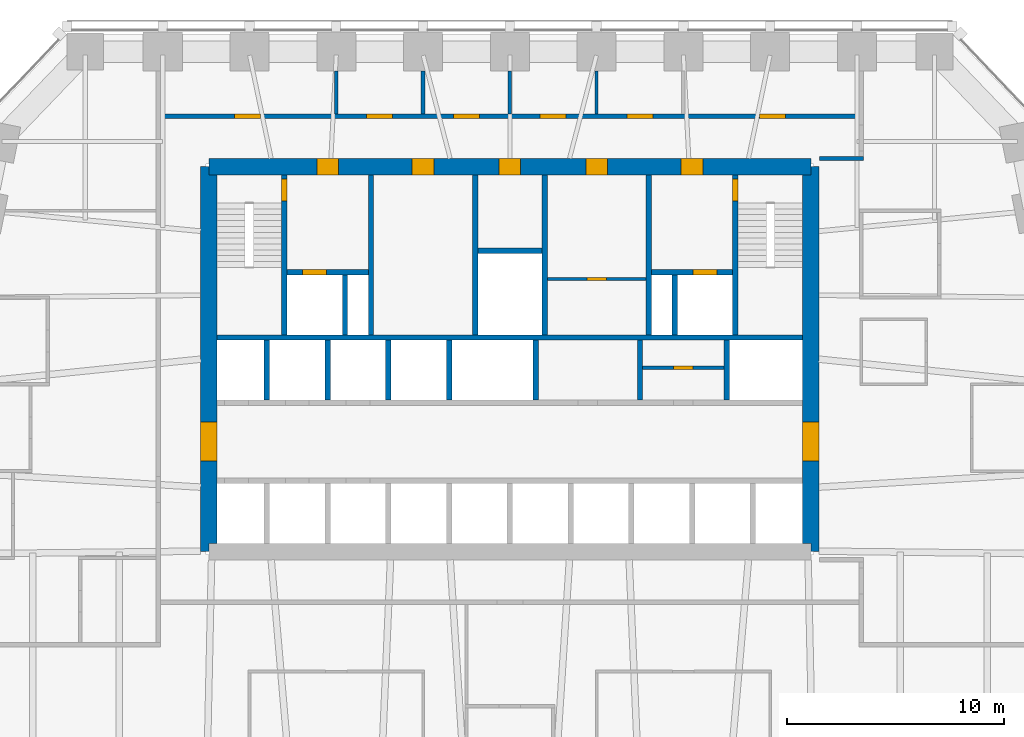
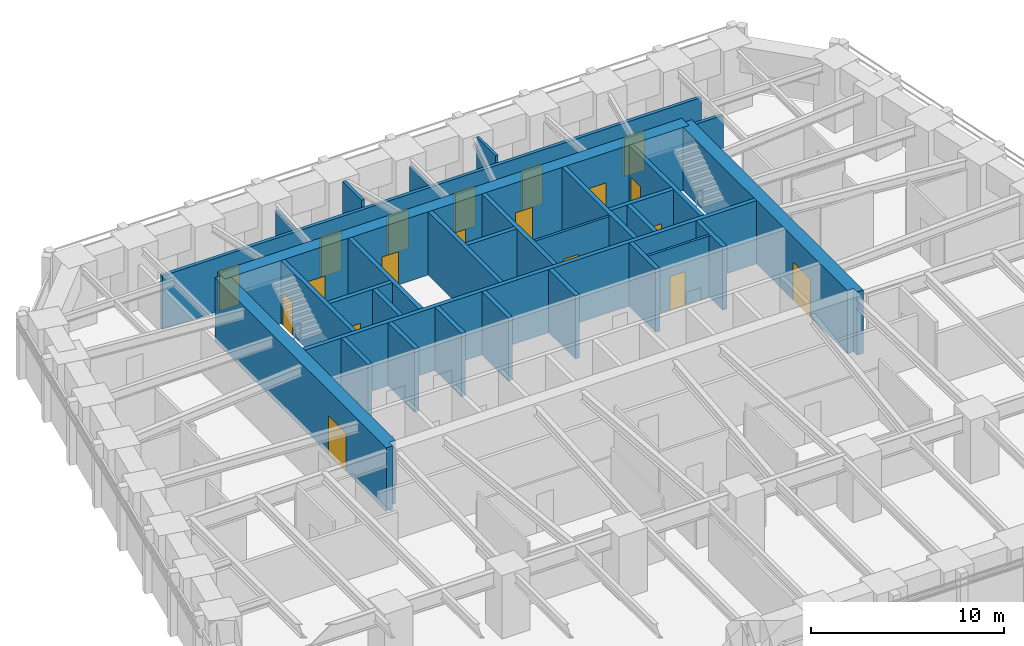
# One storey, part 7 of 10: 30 walls, 19 doors, 19 openings.
"""IFC4 building model written with IfcOpenShell, lengths in metres."""

from ifc_helpers import new_model, si_unit, direction, frame, frame_2d, origin, place, context, subcontext, project, spatial, polyline, rectangle, outline, extrude, material, layer, layer_set, type_object, element, fill, save


model = new_model("IFC4")

# Units and contexts
model_context = context("Model", 3, precision=1e-05, world=origin(), true_north=direction((0.0, 1.0)))
body_context = subcontext(model_context, "Body", "Model", "MODEL_VIEW")
ifc_project = project(units=[si_unit("LENGTHUNIT", "METRE"), si_unit("AREAUNIT", "SQUARE_METRE"), si_unit("VOLUMEUNIT", "CUBIC_METRE"), si_unit("PLANEANGLEUNIT", "RADIAN"), si_unit("MASSUNIT", "GRAM", prefix="KILO")], contexts=[model_context])

# Site, building, storey
site_placement = place(None, origin())
site = spatial("IfcSite", under=ifc_project, at=site_placement, CompositionType="ELEMENT")
building_placement = place(site_placement, origin())
building = spatial("IfcBuilding", under=site, at=building_placement, Name="Isbrekke Arena Tower", CompositionType="ELEMENT")
storey_placement = place(building_placement, frame((0.0, 0.0, 115.0)))
storey = spatial("IfcBuildingStorey", under=building, at=storey_placement, Name="L25", CompositionType="ELEMENT", Elevation=115.0)

# Wall, opening, door
ifc_material_1 = material(Name="Concrete B55 (C55/67)", Category="concrete")
ifc_layer_1 = layer(ifc_material_1, 0.75)
ifc_layer_set_1 = layer_set([ifc_layer_1], Name="CW3 CORE WALL 750")
wall_type_1 = type_object("IfcWallType", Name="CW3 CORE WALL 750", PredefinedType="SHEAR", material=ifc_layer_set_1)
wall_1_placement = place(storey_placement, frame((13.875, 6.125, 0.0), z_axis=(0.0, 0.0, 1.0), x_axis=(0.0, 1.0, 0.0)))
wall_1 = element("IfcWall", 1, at=wall_1_placement, inside=storey, type_object=wall_type_1, Name="Core wall E L25", PredefinedType="SHEAR", context=body_context, shape_type="SweptSolid", body=[
    extrude(outline(polyline([(0.0, -0.375), (17.75, -0.375), (17.75, 0.0), (17.375, 0.0), (17.375, 0.375), (0.375, 0.375), (0.375, 0.0), (0.0, 0.0), (0.0, -0.375)])), origin(), (0.0, 0.0, 1.0), 4.0),
])
opening_1_placement = place(wall_1_placement, frame((4.175048828125, 0.0, 0.0)))
opening_1 = element("IfcOpeningElement", 2, at=opening_1_placement, cuts=wall_1, Name="Opening D1", PredefinedType="OPENING", context=body_context, shape_type="SweptSolid", body=[
    extrude(rectangle(XDim=1.800048828125, YDim=2.39990234375, at=frame_2d((0.89990234375, 1.199951171875))), frame((0.0, 0.389892578125, 0.0), z_axis=(0.0, -1.0, 0.0), x_axis=(1.0, 0.0, 0.0)), (0.0, 0.0, 1.0), 0.77978515625),
])
ifc_material_2 = material(Name="Steel-framed glazed fire door", Category="steel")
door_type_1 = type_object("IfcDoorType", Name="D1 CORE LOBBY DOOR 1800 x 2400", OperationType="DOUBLE_DOOR_SINGLE_SWING", PredefinedType="DOOR", material=ifc_material_2)
door_1_placement = place(opening_1_placement, origin())
door_1 = element("IfcDoor", 3, at=door_1_placement, inside=storey, type_object=door_type_1, Name="D1 lift lobby door east L25", OperationType="DOUBLE_DOOR_SINGLE_SWING", OverallHeight=2.39990234375, OverallWidth=1.800048828125, PredefinedType="DOOR", context=body_context, shape_type="SweptSolid", body=[
    extrude(rectangle(XDim=1.800048828125, YDim=2.39990234375, at=frame_2d((0.89990234375, 1.199951171875))), frame((0.0, 0.374755859375, 0.0), z_axis=(0.0, -1.0, 0.0), x_axis=(1.0, 0.0, 0.0)), (0.0, 0.0, 1.0), 0.74951171875),
])
fill(opening_1, door_1)

# Wall, openings, doors
wall_2_placement = place(storey_placement, frame((13.875, 23.875, 0.0), z_axis=(0.0, 0.0, 1.0), x_axis=(-1.0, 0.0, 0.0)))
wall_2 = element("IfcWall", 4, at=wall_2_placement, inside=storey, type_object=wall_type_1, Name="Core wall N L25", PredefinedType="SHEAR", context=body_context, shape_type="SweptSolid", body=[
    extrude(rectangle(XDim=27.75, YDim=0.75, at=frame_2d((13.875, 0.0))), origin(), (0.0, 0.0, 1.0), 4.0),
])
opening_2_placement = place(wall_2_placement, frame((21.77490234375, 0.0, 0.0)))
opening_2 = element("IfcOpeningElement", 5, at=opening_2_placement, cuts=wall_2, Name="Opening D3", PredefinedType="OPENING", context=body_context, shape_type="SweptSolid", body=[
    extrude(rectangle(XDim=1.0, YDim=2.10009765625, at=frame_2d((0.5, 1.050048828125))), frame((0.0, 0.389892578125, 0.0), z_axis=(0.0, -1.0, 0.0), x_axis=(1.0, 0.0, 0.0)), (0.0, 0.0, 1.0), 0.77978515625),
])
opening_3_placement = place(wall_2_placement, frame((4.97509765625, 0.0, 0.0)))
opening_3 = element("IfcOpeningElement", 6, at=opening_3_placement, cuts=wall_2, Name="Opening D3", PredefinedType="OPENING", context=body_context, shape_type="SweptSolid", body=[
    extrude(rectangle(XDim=1.0, YDim=2.10009765625, at=frame_2d((0.5, 1.050048828125))), frame((0.0, 0.389892578125, 0.0), z_axis=(0.0, -1.0, 0.0), x_axis=(1.0, 0.0, 0.0)), (0.0, 0.0, 1.0), 0.77978515625),
])
opening_4_placement = place(wall_2_placement, frame((17.375, 0.0, 0.0)))
opening_4 = element("IfcOpeningElement", 7, at=opening_4_placement, cuts=wall_2, Name="Opening D4", PredefinedType="OPENING", context=body_context, shape_type="SweptSolid", body=[
    extrude(rectangle(XDim=1.0, YDim=2.10009765625, at=frame_2d((0.5, 1.050048828125))), frame((0.0, 0.389892578125, 0.0), z_axis=(0.0, -1.0, 0.0), x_axis=(1.0, 0.0, 0.0)), (0.0, 0.0, 1.0), 0.77978515625),
])
opening_5_placement = place(wall_2_placement, frame((13.375, 0.0, 0.0)))
opening_5 = element("IfcOpeningElement", 8, at=opening_5_placement, cuts=wall_2, Name="Opening D4", PredefinedType="OPENING", context=body_context, shape_type="SweptSolid", body=[
    extrude(rectangle(XDim=1.0, YDim=2.10009765625, at=frame_2d((0.5, 1.050048828125))), frame((0.0, 0.389892578125, 0.0), z_axis=(0.0, -1.0, 0.0), x_axis=(1.0, 0.0, 0.0)), (0.0, 0.0, 1.0), 0.77978515625),
])
opening_6_placement = place(wall_2_placement, frame((9.375, 0.0, 0.0)))
opening_6 = element("IfcOpeningElement", 9, at=opening_6_placement, cuts=wall_2, Name="Opening D4", PredefinedType="OPENING", context=body_context, shape_type="SweptSolid", body=[
    extrude(rectangle(XDim=1.0, YDim=2.10009765625, at=frame_2d((0.5, 1.050048828125))), frame((0.0, 0.389892578125, 0.0), z_axis=(0.0, -1.0, 0.0), x_axis=(1.0, 0.0, 0.0)), (0.0, 0.0, 1.0), 0.77978515625),
])
ifc_material_3 = material(Name="Steel fire door", Category="steel")
door_type_2 = type_object("IfcDoorType", Name="D3 FIRE LOBBY DOOR 1000 x 2100", OperationType="SINGLE_SWING_RIGHT", PredefinedType="DOOR", material=ifc_material_3)
door_2_placement = place(opening_2_placement, origin())
door_2 = element("IfcDoor", 10, at=door_2_placement, inside=storey, type_object=door_type_2, Name="D3 fire-fighting lobby door L25", OperationType="SINGLE_SWING_RIGHT", OverallHeight=2.10009765625, OverallWidth=1.0, PredefinedType="DOOR", context=body_context, shape_type="SweptSolid", body=[
    extrude(rectangle(XDim=1.0, YDim=2.10009765625, at=frame_2d((0.5, 1.050048828125))), frame((0.0, 0.374755859375, 0.0), z_axis=(0.0, -1.0, 0.0), x_axis=(1.0, 0.0, 0.0)), (0.0, 0.0, 1.0), 0.74951171875),
])
fill(opening_2, door_2)
door_3_placement = place(opening_3_placement, origin())
door_3 = element("IfcDoor", 11, at=door_3_placement, inside=storey, type_object=door_type_2, Name="D3 fire-fighting lobby door L25", OperationType="SINGLE_SWING_RIGHT", OverallHeight=2.10009765625, OverallWidth=1.0, PredefinedType="DOOR", context=body_context, shape_type="SweptSolid", body=[
    extrude(rectangle(XDim=1.0, YDim=2.10009765625, at=frame_2d((0.5, 1.050048828125))), frame((0.0, 0.374755859375, 0.0), z_axis=(0.0, -1.0, 0.0), x_axis=(1.0, 0.0, 0.0)), (0.0, 0.0, 1.0), 0.74951171875),
])
fill(opening_3, door_3)
ifc_material_4 = material(Name="Timber door", Category="wood")
door_type_3 = type_object("IfcDoorType", Name="D4 WC DOOR 1000 x 2100", OperationType="SINGLE_SWING_LEFT", PredefinedType="DOOR", material=ifc_material_4)
door_4_placement = place(opening_4_placement, origin())
door_4 = element("IfcDoor", 12, at=door_4_placement, inside=storey, type_object=door_type_3, Name="D4 wc female door L25", OperationType="SINGLE_SWING_LEFT", OverallHeight=2.10009765625, OverallWidth=1.0, PredefinedType="DOOR", context=body_context, shape_type="SweptSolid", body=[
    extrude(rectangle(XDim=1.0, YDim=2.10009765625, at=frame_2d((0.5, 1.050048828125))), frame((0.0, 0.374755859375, 0.0), z_axis=(0.0, -1.0, 0.0), x_axis=(1.0, 0.0, 0.0)), (0.0, 0.0, 1.0), 0.74951171875),
])
fill(opening_4, door_4)
door_5_placement = place(opening_5_placement, origin())
door_5 = element("IfcDoor", 13, at=door_5_placement, inside=storey, type_object=door_type_3, Name="D4 accessible wc door L25", OperationType="SINGLE_SWING_LEFT", OverallHeight=2.10009765625, OverallWidth=1.0, PredefinedType="DOOR", context=body_context, shape_type="SweptSolid", body=[
    extrude(rectangle(XDim=1.0, YDim=2.10009765625, at=frame_2d((0.5, 1.050048828125))), frame((0.0, 0.374755859375, 0.0), z_axis=(0.0, -1.0, 0.0), x_axis=(1.0, 0.0, 0.0)), (0.0, 0.0, 1.0), 0.74951171875),
])
fill(opening_5, door_5)
door_6_placement = place(opening_6_placement, origin())
door_6 = element("IfcDoor", 14, at=door_6_placement, inside=storey, type_object=door_type_3, Name="D4 wc male door L25", OperationType="SINGLE_SWING_LEFT", OverallHeight=2.10009765625, OverallWidth=1.0, PredefinedType="DOOR", context=body_context, shape_type="SweptSolid", body=[
    extrude(rectangle(XDim=1.0, YDim=2.10009765625, at=frame_2d((0.5, 1.050048828125))), frame((0.0, 0.374755859375, 0.0), z_axis=(0.0, -1.0, 0.0), x_axis=(1.0, 0.0, 0.0)), (0.0, 0.0, 1.0), 0.74951171875),
])
fill(opening_6, door_6)

# Wall, opening, door
wall_3_placement = place(storey_placement, frame((-13.875, 23.875, 0.0), z_axis=(0.0, 0.0, 1.0), x_axis=(0.0, -1.0, 0.0)))
wall_3 = element("IfcWall", 15, at=wall_3_placement, inside=storey, type_object=wall_type_1, Name="Core wall W L25", PredefinedType="SHEAR", context=body_context, shape_type="SweptSolid", body=[
    extrude(outline(polyline([(0.0, -0.375), (17.75, -0.375), (17.75, 0.0), (17.375, 0.0), (17.375, 0.375), (0.375, 0.375), (0.375, 0.0), (0.0, 0.0), (0.0, -0.375)])), origin(), (0.0, 0.0, 1.0), 4.0),
])
opening_7_placement = place(wall_3_placement, frame((11.77490234375, 0.0, 0.0)))
opening_7 = element("IfcOpeningElement", 16, at=opening_7_placement, cuts=wall_3, Name="Opening D1", PredefinedType="OPENING", context=body_context, shape_type="SweptSolid", body=[
    extrude(rectangle(XDim=1.800048828125, YDim=2.39990234375, at=frame_2d((0.89990234375, 1.199951171875))), frame((0.0, 0.389892578125, 0.0), z_axis=(0.0, -1.0, 0.0), x_axis=(1.0, 0.0, 0.0)), (0.0, 0.0, 1.0), 0.77978515625),
])
door_7_placement = place(opening_7_placement, origin())
door_7 = element("IfcDoor", 17, at=door_7_placement, inside=storey, type_object=door_type_1, Name="D1 lift lobby door west L25", OperationType="DOUBLE_DOOR_SINGLE_SWING", OverallHeight=2.39990234375, OverallWidth=1.800048828125, PredefinedType="DOOR", context=body_context, shape_type="SweptSolid", body=[
    extrude(rectangle(XDim=1.800048828125, YDim=2.39990234375, at=frame_2d((0.89990234375, 1.199951171875))), frame((0.0, 0.374755859375, 0.0), z_axis=(0.0, -1.0, 0.0), x_axis=(1.0, 0.0, 0.0)), (0.0, 0.0, 1.0), 0.74951171875),
])
fill(opening_7, door_7)

# Walls
ifc_material_5 = material(Name="Concrete B45 (C45/55)", Category="concrete")
ifc_layer_2 = layer(ifc_material_5, 0.25)
ifc_layer_set_2 = layer_set([ifc_layer_2], Name="CW6 SHAFT WALL 250")
wall_type_2 = type_object("IfcWallType", Name="CW6 SHAFT WALL 250", PredefinedType="SHEAR", material=ifc_layer_set_2)
wall_4_placement = place(storey_placement, frame((-13.5, 16.0, 0.0), z_axis=(0.0, 0.0, 1.0), x_axis=(1.0, 0.0, 0.0)))
element("IfcWall", 18, at=wall_4_placement, inside=storey, type_object=wall_type_2, Name="Core wall NB L25", PredefinedType="SHEAR", context=body_context, shape_type="SweptSolid", body=[
    extrude(rectangle(XDim=27.0, YDim=0.25, at=frame_2d((13.5, 0.0))), origin(), (0.0, 0.0, 1.0), 4.0),
])
for number, where, z_axis, x_axis, name in (
    (19, (-11.199951171875, 13.125, 0.0), (0.0, 0.0, 1.0), (0.0, 1.0, 0.0), "Core wall SN01 L25"),
    (20, (-8.39990234375, 13.125, 0.0), (0.0, 0.0, 1.0), (0.0, 1.0, 0.0), "Core wall SN02 L25"),
    (21, (-5.60009765625, 13.125, 0.0), (0.0, 0.0, 1.0), (0.0, 1.0, 0.0), "Core wall SN03 L25"),
    (22, (-2.800048828125, 13.125, 0.0), (0.0, 0.0, 1.0), (0.0, 1.0, 0.0), "Core wall SN04 L25"),
    (23, (1.199951171875, 13.125, 0.0), (0.0, 0.0, 1.0), (0.0, 1.0, 0.0), "Core wall SN05 L25"),
    (24, (6.0, 13.125, 0.0), (0.0, 0.0, 1.0), (0.0, 1.0, 0.0), "Core wall SN06 L25"),
    (25, (10.0, 13.125, 0.0), (0.0, 0.0, 1.0), (0.0, 1.0, 0.0), "Core wall SN07 L25"),
):
    element("IfcWall", number, at=place(storey_placement, frame(where, z_axis=z_axis, x_axis=x_axis)), inside=storey, type_object=wall_type_2, Name=name, PredefinedType="SHEAR", context=body_context, shape_type="SweptSolid", body=[
        extrude(rectangle(XDim=2.75, YDim=0.25, at=frame_2d((1.375, 0.0))), origin(), (0.0, 0.0, 1.0), 4.0),
    ])

# Wall, opening, door
wall_5_placement = place(storey_placement, frame((-10.39990234375, 16.125, 0.0), z_axis=(0.0, 0.0, 1.0), x_axis=(0.0, 1.0, 0.0)))
wall_5 = element("IfcWall", 26, at=wall_5_placement, inside=storey, type_object=wall_type_2, Name="Core wall NV01 L25", PredefinedType="SHEAR", context=body_context, shape_type="SweptSolid", body=[
    extrude(rectangle(XDim=7.375, YDim=0.25, at=frame_2d((3.6875, 0.0))), origin(), (0.0, 0.0, 1.0), 4.0),
])
opening_8_placement = place(wall_5_placement, frame((6.175048828125, 0.0, 0.0)))
opening_8 = element("IfcOpeningElement", 27, at=opening_8_placement, cuts=wall_5, Name="Opening D2", PredefinedType="OPENING", context=body_context, shape_type="SweptSolid", body=[
    extrude(rectangle(XDim=1.0, YDim=2.10009765625, at=frame_2d((0.5, 1.050048828125))), frame((0.0, 0.139892578125, 0.0), z_axis=(0.0, -1.0, 0.0), x_axis=(1.0, 0.0, 0.0)), (0.0, 0.0, 1.0), 0.27978515625),
])
ifc_material_6 = material(Name="Steel fire door", Category="steel")
door_type_4 = type_object("IfcDoorType", Name="D2 STAIR DOOR 1000 x 2100", OperationType="SINGLE_SWING_LEFT", PredefinedType="DOOR", material=ifc_material_6)
door_8_placement = place(opening_8_placement, origin())
door_8 = element("IfcDoor", 28, at=door_8_placement, inside=storey, type_object=door_type_4, Name="D2 stair door ST1 L25", OperationType="SINGLE_SWING_LEFT", OverallHeight=2.10009765625, OverallWidth=1.0, PredefinedType="DOOR", context=body_context, shape_type="SweptSolid", body=[
    extrude(rectangle(XDim=1.0, YDim=2.10009765625, at=frame_2d((0.5, 1.050048828125))), frame((0.0, 0.124755859375, 0.0), z_axis=(0.0, -1.0, 0.0), x_axis=(1.0, 0.0, 0.0)), (0.0, 0.0, 1.0), 0.24951171875),
])
fill(opening_8, door_8)

# Walls
for number, where, z_axis, x_axis, name in (
    (29, (-6.39990234375, 16.125, 0.0), (0.0, 0.0, 1.0), (0.0, 1.0, 0.0), "Core wall NV02 L25"),
    (30, (-1.60009765625, 16.125, 0.0), (0.0, 0.0, 1.0), (0.0, 1.0, 0.0), "Core wall NV03 L25"),
    (31, (1.60009765625, 16.125, 0.0), (0.0, 0.0, 1.0), (0.0, 1.0, 0.0), "Core wall NV04 L25"),
    (32, (6.39990234375, 16.125, 0.0), (0.0, 0.0, 1.0), (0.0, 1.0, 0.0), "Core wall NV05 L25"),
):
    element("IfcWall", number, at=place(storey_placement, frame(where, z_axis=z_axis, x_axis=x_axis)), inside=storey, type_object=wall_type_2, Name=name, PredefinedType="SHEAR", context=body_context, shape_type="SweptSolid", body=[
        extrude(rectangle(XDim=7.375, YDim=0.25, at=frame_2d((3.6875, 0.0))), origin(), (0.0, 0.0, 1.0), 4.0),
    ])

# Wall, opening, door
wall_6_placement = place(storey_placement, frame((10.39990234375, 16.125, 0.0), z_axis=(0.0, 0.0, 1.0), x_axis=(0.0, 1.0, 0.0)))
wall_6 = element("IfcWall", 33, at=wall_6_placement, inside=storey, type_object=wall_type_2, Name="Core wall NV06 L25", PredefinedType="SHEAR", context=body_context, shape_type="SweptSolid", body=[
    extrude(rectangle(XDim=7.375, YDim=0.25, at=frame_2d((3.6875, 0.0))), origin(), (0.0, 0.0, 1.0), 4.0),
])
opening_9_placement = place(wall_6_placement, frame((6.175048828125, 0.0, 0.0)))
opening_9 = element("IfcOpeningElement", 34, at=opening_9_placement, cuts=wall_6, Name="Opening D2", PredefinedType="OPENING", context=body_context, shape_type="SweptSolid", body=[
    extrude(rectangle(XDim=1.0, YDim=2.10009765625, at=frame_2d((0.5, 1.050048828125))), frame((0.0, 0.139892578125, 0.0), z_axis=(0.0, -1.0, 0.0), x_axis=(1.0, 0.0, 0.0)), (0.0, 0.0, 1.0), 0.27978515625),
])
door_9_placement = place(opening_9_placement, origin())
door_9 = element("IfcDoor", 35, at=door_9_placement, inside=storey, type_object=door_type_4, Name="D2 stair door ST2 L25", OperationType="SINGLE_SWING_LEFT", OverallHeight=2.10009765625, OverallWidth=1.0, PredefinedType="DOOR", context=body_context, shape_type="SweptSolid", body=[
    extrude(rectangle(XDim=1.0, YDim=2.10009765625, at=frame_2d((0.5, 1.050048828125))), frame((0.0, 0.124755859375, 0.0), z_axis=(0.0, -1.0, 0.0), x_axis=(1.0, 0.0, 0.0)), (0.0, 0.0, 1.0), 0.24951171875),
])
fill(opening_9, door_9)

wall_7_placement = place(storey_placement, frame((-10.27490234375, 19.0, 0.0), z_axis=(0.0, 0.0, 1.0), x_axis=(1.0, 0.0, 0.0)))
wall_7 = element("IfcWall", 36, at=wall_7_placement, inside=storey, type_object=wall_type_2, Name="Core wall NFW L25", PredefinedType="SHEAR", context=body_context, shape_type="SweptSolid", body=[
    extrude(rectangle(XDim=3.75, YDim=0.25, at=frame_2d((1.875, 0.0))), origin(), (0.0, 0.0, 1.0), 4.0),
])
opening_10_placement = place(wall_7_placement, frame((0.72509765625, 0.0, 0.0)))
opening_10 = element("IfcOpeningElement", 37, at=opening_10_placement, cuts=wall_7, Name="Opening LD2", PredefinedType="OPENING", context=body_context, shape_type="SweptSolid", body=[
    extrude(rectangle(XDim=1.10009765625, YDim=2.10009765625, at=frame_2d((0.550048828125, 1.050048828125))), frame((0.0, 0.139892578125, 0.0), z_axis=(0.0, -1.0, 0.0), x_axis=(1.0, 0.0, 0.0)), (0.0, 0.0, 1.0), 0.27978515625),
])
ifc_material_7 = material(Name="Stainless steel lift landing door", Category="steel")
door_type_5 = type_object("IfcDoorType", Name="LD2 FIRE-FIGHTING LIFT LANDING DOOR 1100 x 2100", OperationType="SLIDING_TO_RIGHT", PredefinedType="DOOR", material=ifc_material_7)
door_10_placement = place(opening_10_placement, origin())
door_10 = element("IfcDoor", 38, at=door_10_placement, inside=storey, type_object=door_type_5, Name="LD2 lift landing door LF L25", OperationType="SLIDING_TO_RIGHT", OverallHeight=2.10009765625, OverallWidth=1.10009765625, PredefinedType="DOOR", context=body_context, shape_type="SweptSolid", body=[
    extrude(rectangle(XDim=1.10009765625, YDim=2.10009765625, at=frame_2d((0.550048828125, 1.050048828125))), frame((0.0, 0.124755859375, 0.0), z_axis=(0.0, -1.0, 0.0), x_axis=(1.0, 0.0, 0.0)), (0.0, 0.0, 1.0), 0.24951171875),
])
fill(opening_10, door_10)

wall_8_placement = place(storey_placement, frame((6.52490234375, 19.0, 0.0), z_axis=(0.0, 0.0, 1.0), x_axis=(1.0, 0.0, 0.0)))
wall_8 = element("IfcWall", 39, at=wall_8_placement, inside=storey, type_object=wall_type_2, Name="Core wall NFE L25", PredefinedType="SHEAR", context=body_context, shape_type="SweptSolid", body=[
    extrude(rectangle(XDim=3.75, YDim=0.25, at=frame_2d((1.875, 0.0))), origin(), (0.0, 0.0, 1.0), 4.0),
])
opening_11_placement = place(wall_8_placement, frame((1.925048828125, 0.0, 0.0)))
opening_11 = element("IfcOpeningElement", 40, at=opening_11_placement, cuts=wall_8, Name="Opening LD2", PredefinedType="OPENING", context=body_context, shape_type="SweptSolid", body=[
    extrude(rectangle(XDim=1.10009765625, YDim=2.10009765625, at=frame_2d((0.550048828125, 1.050048828125))), frame((0.0, 0.139892578125, 0.0), z_axis=(0.0, -1.0, 0.0), x_axis=(1.0, 0.0, 0.0)), (0.0, 0.0, 1.0), 0.27978515625),
])
door_11_placement = place(opening_11_placement, origin())
door_11 = element("IfcDoor", 41, at=door_11_placement, inside=storey, type_object=door_type_5, Name="LD2 lift landing door LF L25", OperationType="SLIDING_TO_RIGHT", OverallHeight=2.10009765625, OverallWidth=1.10009765625, PredefinedType="DOOR", context=body_context, shape_type="SweptSolid", body=[
    extrude(rectangle(XDim=1.10009765625, YDim=2.10009765625, at=frame_2d((0.550048828125, 1.050048828125))), frame((0.0, 0.124755859375, 0.0), z_axis=(0.0, -1.0, 0.0), x_axis=(1.0, 0.0, 0.0)), (0.0, 0.0, 1.0), 0.24951171875),
])
fill(opening_11, door_11)

# Walls
for number, where, z_axis, x_axis, name in (
    (42, (-7.60009765625, 16.125, 0.0), (0.0, 0.0, 1.0), (0.0, 1.0, 0.0), "Core wall NFS1 L25"),
    (43, (7.60009765625, 16.125, 0.0), (0.0, 0.0, 1.0), (0.0, 1.0, 0.0), "Core wall NFS2 L25"),
):
    element("IfcWall", number, at=place(storey_placement, frame(where, z_axis=z_axis, x_axis=x_axis)), inside=storey, type_object=wall_type_2, Name=name, PredefinedType="SHEAR", context=body_context, shape_type="SweptSolid", body=[
        extrude(rectangle(XDim=2.75, YDim=0.25, at=frame_2d((1.375, 0.0))), origin(), (0.0, 0.0, 1.0), 4.0),
    ])
wall_9_placement = place(storey_placement, frame((-1.47509765625, 20.0, 0.0), z_axis=(0.0, 0.0, 1.0), x_axis=(1.0, 0.0, 0.0)))
element("IfcWall", 44, at=wall_9_placement, inside=storey, type_object=wall_type_2, Name="Core wall NWC L25", PredefinedType="SHEAR", context=body_context, shape_type="SweptSolid", body=[
    extrude(rectangle(XDim=2.9501953125, YDim=0.25, at=frame_2d((1.47509765625, 0.0))), origin(), (0.0, 0.0, 1.0), 4.0),
])
ifc_material_8 = material(Name="Gypsum board partition on steel studs", Category="steel")
ifc_layer_3 = layer(ifc_material_8, 0.14990234375)
ifc_layer_set_3 = layer_set([ifc_layer_3], Name="IW1 PARTITION 150")
wall_type_3 = type_object("IfcWallType", Name="IW1 PARTITION 150", PredefinedType="PARTITIONING", material=ifc_layer_set_3)
wall_10_placement = place(storey_placement, frame((0.0, 26.300048828125, 0.0), z_axis=(0.0, 0.0, 1.0), x_axis=(0.0, 1.0, 0.0)))
element("IfcWall", 45, at=wall_10_placement, inside=storey, type_object=wall_type_3, Name="IW1 partition 150 L25", PredefinedType="PARTITIONING", context=body_context, shape_type="SweptSolid", body=[
    extrude(rectangle(XDim=1.974853515625, YDim=0.14990234375, at=frame_2d((0.9873046875, 0.0))), origin(), (0.0, 0.0, 1.0), 3.39990234375),
])
wall_11_placement = place(storey_placement, frame((4.0, 26.300048828125, 0.0), z_axis=(0.0, 0.0, 1.0), x_axis=(0.0, 1.0, 0.0)))
element("IfcWall", 46, at=wall_11_placement, inside=storey, type_object=wall_type_3, Name="IW1 partition 150 L25", PredefinedType="PARTITIONING", context=body_context, shape_type="SweptSolid", body=[
    extrude(rectangle(XDim=1.974853515625, YDim=0.14990234375, at=frame_2d((0.9873046875, 0.0))), origin(), (0.0, 0.0, 1.0), 3.85009765625),
])
ifc_material_9 = material(Name="Gypsum board fire-cell wall on steel studs, two layers each side", Category="steel")
ifc_layer_4 = layer(ifc_material_9, 0.199951171875)
ifc_layer_set_4 = layer_set([ifc_layer_4], Name="IW3 FIRE-CELL WALL 200")
wall_type_4 = type_object("IfcWallType", Name="IW3 FIRE-CELL WALL 200", PredefinedType="PARTITIONING", material=ifc_layer_set_4)
wall_12_placement = place(storey_placement, frame((14.280029296875, 24.25, 0.0), z_axis=(0.0, 0.0, 1.0), x_axis=(1.0, 0.0, 0.0)))
element("IfcWall", 47, at=wall_12_placement, inside=storey, type_object=wall_type_4, Name="IW3 fire-cell wall 200 L25", PredefinedType="PARTITIONING", context=body_context, shape_type="SweptSolid", body=[
    extrude(rectangle(XDim=2.02001953125, YDim=0.199951171875, at=frame_2d((1.010009765625, 0.0))), origin(), (0.0, 0.0, 1.0), 3.39990234375),
])

# Wall, openings, doors
wall_13_placement = place(storey_placement, frame((-16.10009765625, 26.199951171875, 0.0), z_axis=(0.0, 0.0, 1.0), x_axis=(1.0, 0.0, 0.0)))
wall_13 = element("IfcWall", 48, at=wall_13_placement, inside=storey, type_object=wall_type_4, Name="IW3 fire-cell wall 200 L25", PredefinedType="PARTITIONING", context=body_context, shape_type="SweptSolid", body=[
    extrude(rectangle(XDim=32.2001953125, YDim=0.199951171875, at=frame_2d((16.10009765625, 0.0))), origin(), (0.0, 0.0, 1.0), 3.39990234375),
])
opening_12_placement = place(wall_13_placement, frame((3.39990234375, 0.0, 0.0)))
opening_12 = element("IfcOpeningElement", 49, at=opening_12_placement, cuts=wall_13, Name="Opening D12", PredefinedType="OPENING", context=body_context, shape_type="SweptSolid", body=[
    extrude(rectangle(XDim=1.199951171875, YDim=2.39990234375, at=frame_2d((0.60009765625, 1.199951171875))), frame((0.0, 0.11474609375, 0.0), z_axis=(0.0, -1.0, 0.0), x_axis=(1.0, 0.0, 0.0)), (0.0, 0.0, 1.0), 0.229736328125),
])
opening_13_placement = place(wall_13_placement, frame((9.5, 0.0, 0.0)))
opening_13 = element("IfcOpeningElement", 50, at=opening_13_placement, cuts=wall_13, Name="Opening D12", PredefinedType="OPENING", context=body_context, shape_type="SweptSolid", body=[
    extrude(rectangle(XDim=1.199951171875, YDim=2.39990234375, at=frame_2d((0.60009765625, 1.199951171875))), frame((0.0, 0.11474609375, 0.0), z_axis=(0.0, -1.0, 0.0), x_axis=(1.0, 0.0, 0.0)), (0.0, 0.0, 1.0), 0.229736328125),
])
opening_14_placement = place(wall_13_placement, frame((13.5, 0.0, 0.0)))
opening_14 = element("IfcOpeningElement", 51, at=opening_14_placement, cuts=wall_13, Name="Opening D12", PredefinedType="OPENING", context=body_context, shape_type="SweptSolid", body=[
    extrude(rectangle(XDim=1.199951171875, YDim=2.39990234375, at=frame_2d((0.60009765625, 1.199951171875))), frame((0.0, 0.11474609375, 0.0), z_axis=(0.0, -1.0, 0.0), x_axis=(1.0, 0.0, 0.0)), (0.0, 0.0, 1.0), 0.229736328125),
])
opening_15_placement = place(wall_13_placement, frame((17.5, 0.0, 0.0)))
opening_15 = element("IfcOpeningElement", 52, at=opening_15_placement, cuts=wall_13, Name="Opening D12", PredefinedType="OPENING", context=body_context, shape_type="SweptSolid", body=[
    extrude(rectangle(XDim=1.199951171875, YDim=2.39990234375, at=frame_2d((0.60009765625, 1.199951171875))), frame((0.0, 0.11474609375, 0.0), z_axis=(0.0, -1.0, 0.0), x_axis=(1.0, 0.0, 0.0)), (0.0, 0.0, 1.0), 0.229736328125),
])
opening_16_placement = place(wall_13_placement, frame((21.5, 0.0, 0.0)))
opening_16 = element("IfcOpeningElement", 53, at=opening_16_placement, cuts=wall_13, Name="Opening D12", PredefinedType="OPENING", context=body_context, shape_type="SweptSolid", body=[
    extrude(rectangle(XDim=1.199951171875, YDim=2.39990234375, at=frame_2d((0.60009765625, 1.199951171875))), frame((0.0, 0.11474609375, 0.0), z_axis=(0.0, -1.0, 0.0), x_axis=(1.0, 0.0, 0.0)), (0.0, 0.0, 1.0), 0.229736328125),
])
opening_17_placement = place(wall_13_placement, frame((27.60009765625, 0.0, 0.0)))
opening_17 = element("IfcOpeningElement", 54, at=opening_17_placement, cuts=wall_13, Name="Opening D12", PredefinedType="OPENING", context=body_context, shape_type="SweptSolid", body=[
    extrude(rectangle(XDim=1.199951171875, YDim=2.39990234375, at=frame_2d((0.60009765625, 1.199951171875))), frame((0.0, 0.11474609375, 0.0), z_axis=(0.0, -1.0, 0.0), x_axis=(1.0, 0.0, 0.0)), (0.0, 0.0, 1.0), 0.229736328125),
])
ifc_material_10 = material(Name="Timber fire door with vision panel", Category="wood")
door_type_6 = type_object("IfcDoorType", Name="D12 SUITE ENTRANCE DOOR 1200 x 2400", OperationType="SINGLE_SWING_LEFT", PredefinedType="DOOR", material=ifc_material_10)
door_12_placement = place(opening_12_placement, origin())
door_12 = element("IfcDoor", 55, at=door_12_placement, inside=storey, type_object=door_type_6, Name="D12 meeting room door L25", OperationType="SINGLE_SWING_LEFT", OverallHeight=2.39990234375, OverallWidth=1.199951171875, PredefinedType="DOOR", context=body_context, shape_type="SweptSolid", body=[
    extrude(rectangle(XDim=1.199951171875, YDim=2.39990234375, at=frame_2d((0.60009765625, 1.199951171875))), frame((0.0, 0.099609375, 0.0), z_axis=(0.0, -1.0, 0.0), x_axis=(1.0, 0.0, 0.0)), (0.0, 0.0, 1.0), 0.199462890625),
])
fill(opening_12, door_12)
door_13_placement = place(opening_13_placement, origin())
door_13 = element("IfcDoor", 56, at=door_13_placement, inside=storey, type_object=door_type_6, Name="D12 focus room door L25", OperationType="SINGLE_SWING_LEFT", OverallHeight=2.39990234375, OverallWidth=1.199951171875, PredefinedType="DOOR", context=body_context, shape_type="SweptSolid", body=[
    extrude(rectangle(XDim=1.199951171875, YDim=2.39990234375, at=frame_2d((0.60009765625, 1.199951171875))), frame((0.0, 0.099609375, 0.0), z_axis=(0.0, -1.0, 0.0), x_axis=(1.0, 0.0, 0.0)), (0.0, 0.0, 1.0), 0.199462890625),
])
fill(opening_13, door_13)
door_14_placement = place(opening_14_placement, origin())
door_14 = element("IfcDoor", 57, at=door_14_placement, inside=storey, type_object=door_type_6, Name="D12 focus room door L25", OperationType="SINGLE_SWING_LEFT", OverallHeight=2.39990234375, OverallWidth=1.199951171875, PredefinedType="DOOR", context=body_context, shape_type="SweptSolid", body=[
    extrude(rectangle(XDim=1.199951171875, YDim=2.39990234375, at=frame_2d((0.60009765625, 1.199951171875))), frame((0.0, 0.099609375, 0.0), z_axis=(0.0, -1.0, 0.0), x_axis=(1.0, 0.0, 0.0)), (0.0, 0.0, 1.0), 0.199462890625),
])
fill(opening_14, door_14)
door_15_placement = place(opening_15_placement, origin())
door_15 = element("IfcDoor", 58, at=door_15_placement, inside=storey, type_object=door_type_6, Name="D12 print room door L25", OperationType="SINGLE_SWING_LEFT", OverallHeight=2.39990234375, OverallWidth=1.199951171875, PredefinedType="DOOR", context=body_context, shape_type="SweptSolid", body=[
    extrude(rectangle(XDim=1.199951171875, YDim=2.39990234375, at=frame_2d((0.60009765625, 1.199951171875))), frame((0.0, 0.099609375, 0.0), z_axis=(0.0, -1.0, 0.0), x_axis=(1.0, 0.0, 0.0)), (0.0, 0.0, 1.0), 0.199462890625),
])
fill(opening_15, door_15)
door_16_placement = place(opening_16_placement, origin())
door_16 = element("IfcDoor", 59, at=door_16_placement, inside=storey, type_object=door_type_6, Name="D12 store door L25", OperationType="SINGLE_SWING_LEFT", OverallHeight=2.39990234375, OverallWidth=1.199951171875, PredefinedType="DOOR", context=body_context, shape_type="SweptSolid", body=[
    extrude(rectangle(XDim=1.199951171875, YDim=2.39990234375, at=frame_2d((0.60009765625, 1.199951171875))), frame((0.0, 0.099609375, 0.0), z_axis=(0.0, -1.0, 0.0), x_axis=(1.0, 0.0, 0.0)), (0.0, 0.0, 1.0), 0.199462890625),
])
fill(opening_16, door_16)
door_17_placement = place(opening_17_placement, origin())
door_17 = element("IfcDoor", 60, at=door_17_placement, inside=storey, type_object=door_type_6, Name="D12 meeting room door L25", OperationType="SINGLE_SWING_LEFT", OverallHeight=2.39990234375, OverallWidth=1.199951171875, PredefinedType="DOOR", context=body_context, shape_type="SweptSolid", body=[
    extrude(rectangle(XDim=1.199951171875, YDim=2.39990234375, at=frame_2d((0.60009765625, 1.199951171875))), frame((0.0, 0.099609375, 0.0), z_axis=(0.0, -1.0, 0.0), x_axis=(1.0, 0.0, 0.0)), (0.0, 0.0, 1.0), 0.199462890625),
])
fill(opening_17, door_17)

# Walls
ifc_material_11 = material(Name="Gypsum board acoustic partition on twin steel studs", Category="steel")
ifc_layer_5 = layer(ifc_material_11, 0.175048828125)
ifc_layer_set_5 = layer_set([ifc_layer_5], Name="IW4 ACOUSTIC PARTITION 175")
wall_type_5 = type_object("IfcWallType", Name="IW4 ACOUSTIC PARTITION 175", PredefinedType="PARTITIONING", material=ifc_layer_set_5)
wall_14_placement = place(storey_placement, frame((-8.0, 26.300048828125, 0.0), z_axis=(0.0, 0.0, 1.0), x_axis=(0.0, 1.0, 0.0)))
element("IfcWall", 61, at=wall_14_placement, inside=storey, type_object=wall_type_5, Name="IW4 acoustic partition 175 L25", PredefinedType="PARTITIONING", context=body_context, shape_type="SweptSolid", body=[
    extrude(rectangle(XDim=1.974853515625, YDim=0.175048828125, at=frame_2d((0.9873046875, 0.0))), origin(), (0.0, 0.0, 1.0), 3.39990234375),
])
wall_15_placement = place(storey_placement, frame((-4.0, 26.300048828125, 0.0), z_axis=(0.0, 0.0, 1.0), x_axis=(0.0, 1.0, 0.0)))
element("IfcWall", 62, at=wall_15_placement, inside=storey, type_object=wall_type_5, Name="IW4 acoustic partition 175 L25", PredefinedType="PARTITIONING", context=body_context, shape_type="SweptSolid", body=[
    extrude(rectangle(XDim=1.974853515625, YDim=0.175048828125, at=frame_2d((0.9873046875, 0.0))), origin(), (0.0, 0.0, 1.0), 3.85009765625),
])

# Wall, opening, door
ifc_material_12 = material(Name="Gypsum board fire-rated partition on steel studs, two layers each side", Category="steel")
ifc_layer_6 = layer(ifc_material_12, 0.14990234375)
ifc_layer_set_6 = layer_set([ifc_layer_6], Name="IW5 FIRE-RATED PARTITION 150")
wall_type_6 = type_object("IfcWallType", Name="IW5 FIRE-RATED PARTITION 150", PredefinedType="PARTITIONING", material=ifc_layer_set_6)
wall_16_placement = place(storey_placement, frame((1.72509765625, 18.699951171875, 0.0), z_axis=(0.0, 0.0, 1.0), x_axis=(1.0, 0.0, 0.0)))
wall_16 = element("IfcWall", 63, at=wall_16_placement, inside=storey, type_object=wall_type_6, Name="IW5 fire-rated partition L25 cleaner's store M", PredefinedType="PARTITIONING", context=body_context, shape_type="SweptSolid", body=[
    extrude(rectangle(XDim=4.5498046875, YDim=0.14990234375, at=frame_2d((2.27490234375, 0.0))), origin(), (0.0, 0.0, 1.0), 3.85009765625),
])
opening_18_placement = place(wall_16_placement, frame((1.824951171875, 0.0, 0.0)))
opening_18 = element("IfcOpeningElement", 64, at=opening_18_placement, cuts=wall_16, Name="Opening D5", PredefinedType="OPENING", context=body_context, shape_type="SweptSolid", body=[
    extrude(rectangle(XDim=0.89990234375, YDim=2.10009765625, at=frame_2d((0.449951171875, 1.050048828125))), frame((0.0, 0.08984375, 0.0), z_axis=(0.0, -1.0, 0.0), x_axis=(1.0, 0.0, 0.0)), (0.0, 0.0, 1.0), 0.1796875),
])
ifc_material_13 = material(Name="Steel fire door", Category="steel")
door_type_7 = type_object("IfcDoorType", Name="D5 SERVICE DOOR 900 x 2100", OperationType="SINGLE_SWING_LEFT", PredefinedType="DOOR", material=ifc_material_13)
door_18_placement = place(opening_18_placement, origin())
door_18 = element("IfcDoor", 65, at=door_18_placement, inside=storey, type_object=door_type_7, Name="D5 cleaner's store door L25", OperationType="SINGLE_SWING_LEFT", OverallHeight=2.10009765625, OverallWidth=0.89990234375, PredefinedType="DOOR", context=body_context, shape_type="SweptSolid", body=[
    extrude(rectangle(XDim=0.89990234375, YDim=2.10009765625, at=frame_2d((0.449951171875, 1.050048828125))), frame((0.0, 0.07470703125, 0.0), z_axis=(0.0, -1.0, 0.0), x_axis=(1.0, 0.0, 0.0)), (0.0, 0.0, 1.0), 0.1494140625),
])
fill(opening_18, door_18)

wall_17_placement = place(storey_placement, frame((6.125, 14.60009765625, 0.0), z_axis=(0.0, 0.0, 1.0), x_axis=(1.0, 0.0, 0.0)))
wall_17 = element("IfcWall", 66, at=wall_17_placement, inside=storey, type_object=wall_type_6, Name="IW5 fire-rated partition L25 core service rooms 1", PredefinedType="PARTITIONING", context=body_context, shape_type="SweptSolid", body=[
    extrude(rectangle(XDim=3.75, YDim=0.14990234375, at=frame_2d((1.875, 0.0))), origin(), (0.0, 0.0, 1.0), 3.85009765625),
])
opening_19_placement = place(wall_17_placement, frame((1.425048828125, 0.0, 0.0)))
opening_19 = element("IfcOpeningElement", 67, at=opening_19_placement, cuts=wall_17, Name="Opening D5", PredefinedType="OPENING", context=body_context, shape_type="SweptSolid", body=[
    extrude(rectangle(XDim=0.89990234375, YDim=2.10009765625, at=frame_2d((0.449951171875, 1.050048828125))), frame((0.0, 0.08984375, 0.0), z_axis=(0.0, -1.0, 0.0), x_axis=(1.0, 0.0, 0.0)), (0.0, 0.0, 1.0), 0.1796875),
])
door_19_placement = place(opening_19_placement, origin())
door_19 = element("IfcDoor", 68, at=door_19_placement, inside=storey, type_object=door_type_7, Name="D5 technical room door L25", OperationType="SINGLE_SWING_LEFT", OverallHeight=2.10009765625, OverallWidth=0.89990234375, PredefinedType="DOOR", context=body_context, shape_type="SweptSolid", body=[
    extrude(rectangle(XDim=0.89990234375, YDim=2.10009765625, at=frame_2d((0.449951171875, 1.050048828125))), frame((0.0, 0.07470703125, 0.0), z_axis=(0.0, -1.0, 0.0), x_axis=(1.0, 0.0, 0.0)), (0.0, 0.0, 1.0), 0.1494140625),
])
fill(opening_19, door_19)

save(model, "model.ifc")
